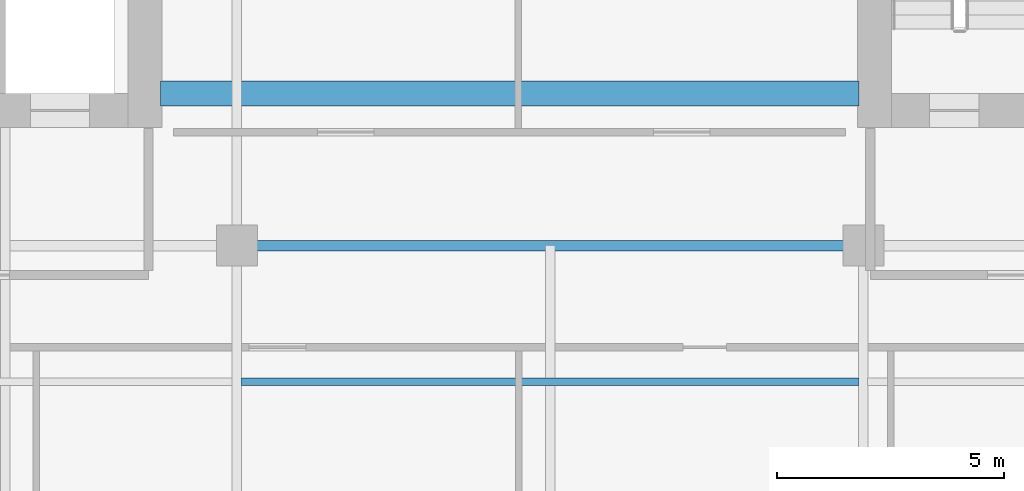
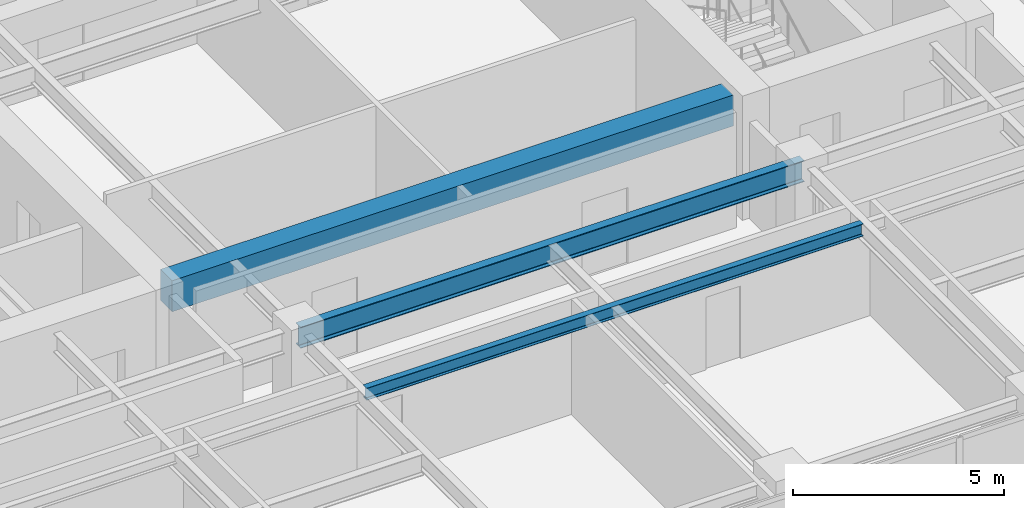
# One storey, part 6 of 18: 3 beams.
"""IFC4 building model written with IfcOpenShell, lengths in metres."""

from ifc_helpers import new_model, si_unit, direction, frame, origin, origin_2d, place, context, subcontext, project, spatial, rectangle, i_section, extrude, source, transform, mapped, material, material_profile, profile_set, type_object, element, save


model = new_model("IFC4")

# Units and contexts
model_context = context("Model", 3, precision=1e-05, world=origin(), true_north=direction((0.0, 1.0)))
body_context = subcontext(model_context, "Body", "Model", "MODEL_VIEW")
ifc_project = project(units=[si_unit("LENGTHUNIT", "METRE"), si_unit("AREAUNIT", "SQUARE_METRE"), si_unit("VOLUMEUNIT", "CUBIC_METRE"), si_unit("PLANEANGLEUNIT", "RADIAN"), si_unit("MASSUNIT", "GRAM", prefix="KILO")], contexts=[model_context])

# Site, building, storey
site_placement = place(None, origin())
site = spatial("IfcSite", under=ifc_project, at=site_placement, CompositionType="ELEMENT")
building_placement = place(site_placement, origin())
building = spatial("IfcBuilding", under=site, at=building_placement, Name="Khoralis Quay Care Tower", CompositionType="ELEMENT")
storey_placement = place(building_placement, frame((0.0, 0.0, 130.5)))
storey = spatial("IfcBuildingStorey", under=building, at=storey_placement, Name="L34", CompositionType="ELEMENT", Elevation=130.5)

# Beams
ifc_material_1 = material(Name="Concrete C65/80", Category="concrete")
ifc_material_profile_1 = material_profile(ifc_material_1, rectangle(XDim=0.550048828125, YDim=0.89990234375, at=origin_2d()), Name="Concrete C65/80")
ifc_profile_set_1 = profile_set([ifc_material_profile_1], Name="Concrete C65/80")
beam_type_1 = type_object("IfcBeamType", Name="CB-RC550X900", PredefinedType="LINTEL", material=ifc_profile_set_1)
shared_shape_1 = source(origin(), body_context, "Body", "SweptSolid", [
    extrude(rectangle(XDim=0.550048828125, YDim=0.89990234375, at=origin_2d()), origin(), (0.0, 0.0, 1.0), 15.380126953125),
])
beam_1_placement = place(storey_placement, frame((15.419921875, 15.35009765625, 2.889892578125), z_axis=(1.0, 0.0, 0.0), x_axis=(0.0, 1.0, 0.0)))
element("IfcBeam", 1, at=beam_1_placement, inside=storey, type_object=beam_type_1, Name="L34 South Core Coupling Lintel", PredefinedType="LINTEL", context=body_context, shape_type="MappedRepresentation", body=[
    mapped(shared_shape_1, transform((0.0, 0.0, 0.0), scale=1.0)),
])
ifc_material_2 = material(Name="Steel S355", Category="steel")
ifc_material_profile_2 = material_profile(ifc_material_2, i_section(OverallWidth=0.22998046875, OverallDepth=0.616943359375, WebThickness=0.01318359375, FlangeThickness=0.022216796875, FilletRadius=0.01806640625, at=origin_2d()), Name="Steel S355")
ifc_profile_set_2 = profile_set([ifc_material_profile_2], Name="Steel S355")
beam_type_2 = type_object("IfcBeamType", Name="BM-W610X140", PredefinedType="BEAM", material=ifc_profile_set_2)
shared_shape_2 = source(origin(), body_context, "Body", "SweptSolid", [
    extrude(i_section(OverallWidth=0.22998046875, OverallDepth=0.616943359375, WebThickness=0.01318359375, FlangeThickness=0.022216796875, FilletRadius=0.01806640625, at=origin_2d()), origin(), (0.0, 0.0, 1.0), 13.7998046875),
])
beam_2_placement = place(storey_placement, frame((17.10009765625, 12.0, 3.031494140625), z_axis=(1.0, 0.0, 0.0), x_axis=(0.0, 1.0, 0.0)))
element("IfcBeam", 2, at=beam_2_placement, inside=storey, type_object=beam_type_2, Name="BM-TGCC-L34-120", PredefinedType="BEAM", context=body_context, shape_type="MappedRepresentation", body=[
    mapped(shared_shape_2, transform((0.0, 0.0, 0.0), scale=1.0)),
])
ifc_material_profile_3 = material_profile(ifc_material_2, i_section(OverallWidth=0.1708984375, OverallDepth=0.35498046875, WebThickness=0.007080078125, FlangeThickness=0.01171875, FilletRadius=0.012939453125, at=origin_2d()), Name="Steel S355")
ifc_profile_set_3 = profile_set([ifc_material_profile_3], Name="Steel S355")
beam_type_3 = type_object("IfcBeamType", Name="BM-W360X51", PredefinedType="JOIST", material=ifc_profile_set_3)
shared_shape_3 = source(origin(), body_context, "Body", "SweptSolid", [
    extrude(i_section(OverallWidth=0.1708984375, OverallDepth=0.35498046875, WebThickness=0.007080078125, FlangeThickness=0.01171875, FilletRadius=0.012939453125, at=origin_2d()), origin(), (0.0, 0.0, 1.0), 13.61181640625),
])
beam_3_placement = place(storey_placement, frame((17.194091796875, 9.0, 3.16259765625), z_axis=(1.0, 0.0, 0.0), x_axis=(0.0, 1.0, 0.0)))
element("IfcBeam", 3, at=beam_3_placement, inside=storey, type_object=beam_type_3, Name="BM-TJS-L34-27", PredefinedType="JOIST", context=body_context, shape_type="MappedRepresentation", body=[
    mapped(shared_shape_3, transform((0.0, 0.0, 0.0), scale=1.0)),
])

save(model, "model.ifc")
